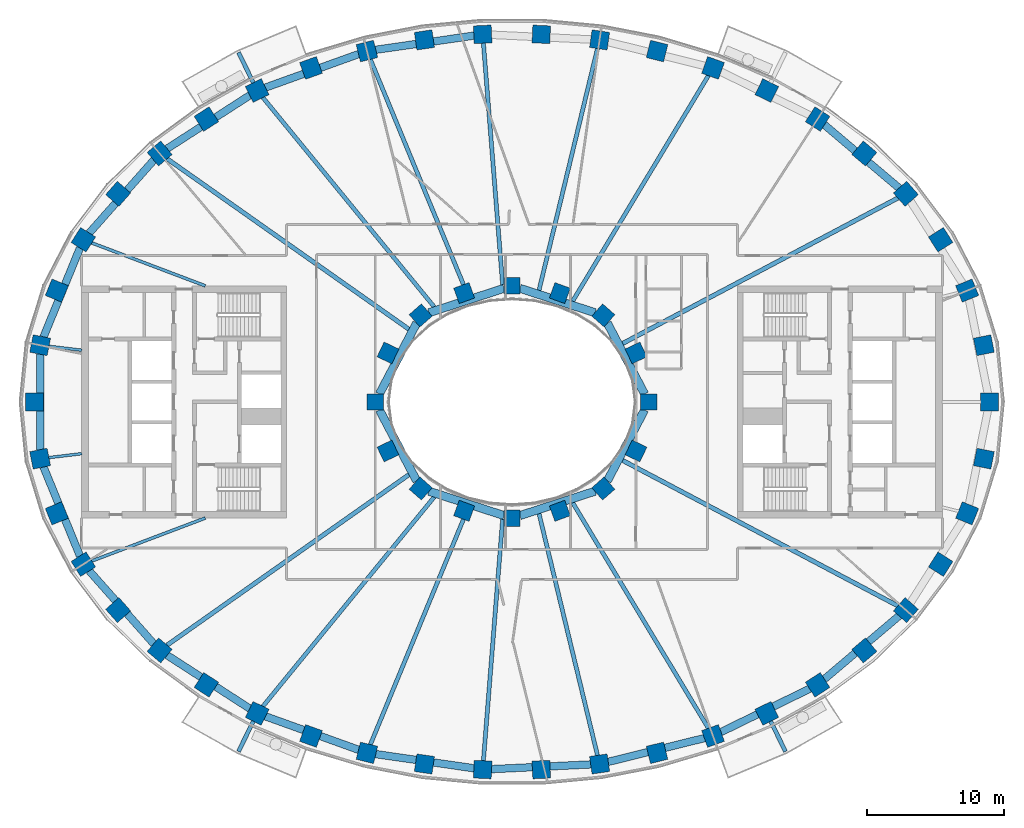
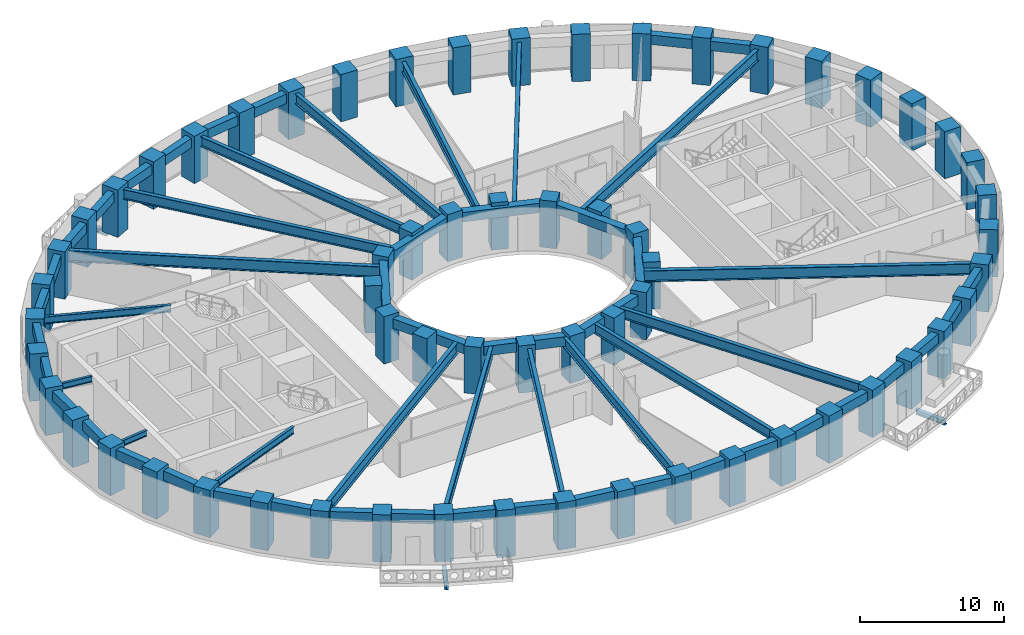
# One storey, part 1 of 15: 62 columns, 45 beams.
"""IFC4 building model written with IfcOpenShell, lengths in metres."""

from ifc_helpers import new_model, si_unit, direction, frame, origin, origin_2d, place, context, subcontext, project, spatial, rectangle, i_section, extrude, material, material_profile, profile_set, type_object, element, save


model = new_model("IFC4")

# Units and contexts
model_context = context("Model", 3, precision=1e-05, world=origin(), true_north=direction((0.0, 1.0)))
body_context = subcontext(model_context, "Body", "Model", "MODEL_VIEW")
ifc_project = project(units=[si_unit("LENGTHUNIT", "METRE"), si_unit("AREAUNIT", "SQUARE_METRE"), si_unit("VOLUMEUNIT", "CUBIC_METRE"), si_unit("PLANEANGLEUNIT", "RADIAN"), si_unit("MASSUNIT", "GRAM", prefix="KILO")], contexts=[model_context])

# Site, building, storey
site_placement = place(None, origin())
site = spatial("IfcSite", under=ifc_project, at=site_placement, CompositionType="ELEMENT")
building_placement = place(site_placement, origin())
building = spatial("IfcBuilding", under=site, at=building_placement, Name="Noorbagh Ring Tower", CompositionType="ELEMENT")
storey_placement = place(building_placement, frame((0.0, 0.0, 104.0)))
storey = spatial("IfcBuildingStorey", under=building, at=storey_placement, Name="L23", CompositionType="ELEMENT", Elevation=104.0)

# Columns
ifc_material_1 = material(Name="Concrete C60/75", Category="concrete")
ifc_material_profile_1 = material_profile(ifc_material_1, rectangle(XDim=1.300048828125, YDim=1.300048828125, at=origin_2d()), Name="RC1300x1300")
ifc_profile_set_1 = profile_set([ifc_material_profile_1], Name="Concrete C60/75")
column_type_1 = type_object("IfcColumnType", Name="STR-COL-RC1300x1300-C60-75", PredefinedType="COLUMN", material=ifc_profile_set_1)
for number, where, z_axis, x_axis, name in (
    (1, (34.944580078125, 0.0, 0.0), (0.0, 0.0, 1.0), (0.0, 1.0, 0.0), "L23/col/R1-01"),
    (2, (34.52685546875, 4.150634765625, 0.0), (0.0, 0.0, 1.0), (-0.19723040178, 0.9803571638, 0.0), "L23/col/R1-02"),
    (3, (33.30517578125, 8.1494140625, 0.0), (0.0, 0.0, 1.0), (-0.378989499959, 0.925400971969, 0.0), "L23/col/R1-03"),
    (4, (31.364990234375, 11.87109375, 0.0), (0.0, 0.0, 1.0), (-0.535190403059, 0.844731455833, 0.0), "L23/col/R1-04"),
    (5, (28.81884765625, 15.23046875, 0.0), (0.0, 0.0, 1.0), (-0.662635642662, 0.748941923699, 0.0), "L23/col/R1-05"),
    (6, (25.78271484375, 18.180419921875, 0.0), (0.0, 0.0, 1.0), (-0.763035199656, 0.646356932419, 0.0), "L23/col/R1-06"),
    (7, (22.362060546875, 20.699951171875, 0.0), (0.0, 0.0, 1.0), (-0.840247639643, 0.542202825586, 0.0), "L23/col/R1-07"),
    (8, (18.646240234375, 22.785400390625, 0.0), (0.0, 0.0, 1.0), (-0.898399080868, 0.439180021741, 0.0), "L23/col/R1-08"),
    (9, (14.70947265625, 24.44091796875, 0.0), (0.0, 0.0, 1.0), (-0.941024726094, 0.338337797003, 0.0), "L23/col/R1-09"),
    (10, (10.61328125, 25.673583984375, 0.0), (0.0, 0.0, 1.0), (-0.970829360981, 0.239771457553, 0.0), "L23/col/R1-10"),
    (11, (6.4091796875, 26.49072265625, 0.0), (0.0, 0.0, 1.0), (-0.989713114048, 0.143066249975, 0.0), "L23/col/R1-11"),
    (12, (2.14306640625, 26.89794921875, 0.0), (0.0, 0.0, 1.0), (-0.998868731212, 0.047552684538, 0.0), "L23/col/R1-12"),
    (13, (-2.14306640625, 26.89794921875, 0.0), (0.0, 0.0, 1.0), (-0.998868731212, -0.047552684538, 0.0), "L23/col/R1-13"),
    (14, (-6.4091796875, 26.49072265625, 0.0), (0.0, 0.0, 1.0), (-0.989713114048, -0.143066249975, 0.0), "L23/col/R1-14"),
    (15, (-10.61328125, 25.673583984375, 0.0), (0.0, 0.0, 1.0), (-0.970829360981, -0.239771457553, 0.0), "L23/col/R1-15"),
    (16, (-14.70947265625, 24.44091796875, 0.0), (0.0, 0.0, 1.0), (-0.941024726094, -0.338337797003, 0.0), "L23/col/R1-16"),
    (17, (-18.646240234375, 22.785400390625, 0.0), (0.0, 0.0, 1.0), (-0.898399080868, -0.439180021741, 0.0), "L23/col/R1-17"),
    (18, (-22.362060546875, 20.699951171875, 0.0), (0.0, 0.0, 1.0), (-0.840247639643, -0.542202825586, 0.0), "L23/col/R1-18"),
    (19, (-25.78271484375, 18.180419921875, 0.0), (0.0, 0.0, 1.0), (-0.763035199656, -0.646356932419, 0.0), "L23/col/R1-19"),
    (20, (-28.81884765625, 15.23046875, 0.0), (0.0, 0.0, 1.0), (-0.662635642662, -0.748941923699, 0.0), "L23/col/R1-20"),
    (21, (-31.364990234375, 11.87109375, 0.0), (0.0, 0.0, 1.0), (-0.535190403059, -0.844731455833, 0.0), "L23/col/R1-21"),
    (22, (-33.30517578125, 8.1494140625, 0.0), (0.0, 0.0, 1.0), (-0.378989499959, -0.925400971969, 0.0), "L23/col/R1-22"),
    (23, (-34.52685546875, 4.150634765625, 0.0), (0.0, 0.0, 1.0), (-0.19723040178, -0.9803571638, 0.0), "L23/col/R1-23"),
    (24, (-34.944580078125, 0.0, 0.0), (0.0, 0.0, 1.0), (0.0, -1.0, 0.0), "L23/col/R1-24"),
    (25, (-34.52685546875, -4.150634765625, 0.0), (0.0, 0.0, 1.0), (0.19723040178, -0.9803571638, 0.0), "L23/col/R1-25"),
    (26, (-33.30517578125, -8.1494140625, 0.0), (0.0, 0.0, 1.0), (0.378989499959, -0.925400971969, 0.0), "L23/col/R1-26"),
    (27, (-31.364990234375, -11.87109375, 0.0), (0.0, 0.0, 1.0), (0.535190403059, -0.844731455833, 0.0), "L23/col/R1-27"),
    (28, (-28.81884765625, -15.23046875, 0.0), (0.0, 0.0, 1.0), (0.662635642662, -0.748941923699, 0.0), "L23/col/R1-28"),
    (29, (-25.78271484375, -18.180419921875, 0.0), (0.0, 0.0, 1.0), (0.763035199656, -0.646356932419, 0.0), "L23/col/R1-29"),
    (30, (-22.362060546875, -20.699951171875, 0.0), (0.0, 0.0, 1.0), (0.840247639643, -0.542202825586, 0.0), "L23/col/R1-30"),
    (31, (-18.646240234375, -22.785400390625, 0.0), (0.0, 0.0, 1.0), (0.898399080868, -0.439180021741, 0.0), "L23/col/R1-31"),
    (32, (-14.70947265625, -24.44091796875, 0.0), (0.0, 0.0, 1.0), (0.941024726094, -0.338337797003, 0.0), "L23/col/R1-32"),
    (33, (-10.61328125, -25.673583984375, 0.0), (0.0, 0.0, 1.0), (0.970829360981, -0.239771457553, 0.0), "L23/col/R1-33"),
    (34, (-6.4091796875, -26.49072265625, 0.0), (0.0, 0.0, 1.0), (0.989713114048, -0.143066249975, 0.0), "L23/col/R1-34"),
    (35, (-2.14306640625, -26.89794921875, 0.0), (0.0, 0.0, 1.0), (0.998868731212, -0.047552684538, 0.0), "L23/col/R1-35"),
    (36, (2.14306640625, -26.89794921875, 0.0), (0.0, 0.0, 1.0), (0.998868731212, 0.047552684538, 0.0), "L23/col/R1-36"),
    (37, (6.4091796875, -26.49072265625, 0.0), (0.0, 0.0, 1.0), (0.989713114048, 0.143066249975, 0.0), "L23/col/R1-37"),
    (38, (10.61328125, -25.673583984375, 0.0), (0.0, 0.0, 1.0), (0.970829360981, 0.239771457553, 0.0), "L23/col/R1-38"),
    (39, (14.70947265625, -24.44091796875, 0.0), (0.0, 0.0, 1.0), (0.941024726094, 0.338337797003, 0.0), "L23/col/R1-39"),
    (40, (18.646240234375, -22.785400390625, 0.0), (0.0, 0.0, 1.0), (0.898399080868, 0.439180021741, 0.0), "L23/col/R1-40"),
    (41, (22.362060546875, -20.699951171875, 0.0), (0.0, 0.0, 1.0), (0.840247639643, 0.542202825586, 0.0), "L23/col/R1-41"),
    (42, (25.78271484375, -18.180419921875, 0.0), (0.0, 0.0, 1.0), (0.763035199656, 0.646356932419, 0.0), "L23/col/R1-42"),
    (43, (28.81884765625, -15.23046875, 0.0), (0.0, 0.0, 1.0), (0.662635642662, 0.748941923699, 0.0), "L23/col/R1-43"),
    (44, (31.364990234375, -11.87109375, 0.0), (0.0, 0.0, 1.0), (0.535190403059, 0.844731455833, 0.0), "L23/col/R1-44"),
    (45, (33.30517578125, -8.1494140625, 0.0), (0.0, 0.0, 1.0), (0.378989499959, 0.925400971969, 0.0), "L23/col/R1-45"),
    (46, (34.52685546875, -4.150634765625, 0.0), (0.0, 0.0, 1.0), (0.19723040178, 0.9803571638, 0.0), "L23/col/R1-46"),
):
    element("IfcColumn", number, at=place(storey_placement, frame(where, z_axis=z_axis, x_axis=x_axis)), inside=storey, type_object=column_type_1, Name=name, PredefinedType="COLUMN", context=body_context, shape_type="SweptSolid", body=[
        extrude(rectangle(XDim=1.300048828125, YDim=1.300048828125, at=origin_2d()), origin(), (0.0, 0.0, 1.0), 4.0),
    ])
ifc_material_2 = material(Name="Concrete C60/75", Category="concrete")
ifc_material_profile_2 = material_profile(ifc_material_2, rectangle(XDim=1.199951171875, YDim=1.199951171875, at=origin_2d()), Name="RC1200x1200")
ifc_profile_set_2 = profile_set([ifc_material_profile_2], Name="Concrete C60/75")
column_type_2 = type_object("IfcColumnType", Name="STR-ICOL-RC1200x1200-C60-75", PredefinedType="COLUMN", material=ifc_profile_set_2)
for number, where, z_axis, x_axis, name in (
    (47, (10.00830078125, 0.0, 0.0), (0.0, 0.0, 1.0), (0.0, 1.0, 0.0), "L23/col/IR2-W01"),
    (48, (9.07568359375, 3.58837890625, 0.0), (0.0, 0.0, 1.0), (-0.428666979171, 0.903462573087, 0.0), "L23/col/IR2-W03"),
    (49, (6.68212890625, 6.333740234375, 0.0), (0.0, 0.0, 1.0), (-0.75102249095, 0.660276622399, 0.0), "L23/col/IR2-W05"),
    (50, (3.5009765625, 7.967041015625, 0.0), (0.0, 0.0, 1.0), (-0.939019578916, 0.343863679984, 0.0), "L23/col/IR2-W07"),
    (51, (0.0, 8.5029296875, 0.0), (0.0, 0.0, 1.0), (-1.0, 0.0, 0.0), "L23/col/IR2-W09"),
    (52, (-3.5009765625, 7.967041015625, 0.0), (0.0, 0.0, 1.0), (-0.939019578916, -0.343863679984, 0.0), "L23/col/IR2-W11"),
    (53, (-6.68212890625, 6.333740234375, 0.0), (0.0, 0.0, 1.0), (-0.75102249095, -0.660276622399, 0.0), "L23/col/IR2-W13"),
    (54, (-9.07568359375, 3.58837890625, 0.0), (0.0, 0.0, 1.0), (-0.428666979171, -0.903462573087, 0.0), "L23/col/IR2-W15"),
    (55, (-10.00830078125, 0.0, 0.0), (0.0, 0.0, 1.0), (0.0, -1.0, 0.0), "L23/col/IR2-W17"),
    (56, (-9.07568359375, -3.58837890625, 0.0), (0.0, 0.0, 1.0), (0.428666979171, -0.903462573087, 0.0), "L23/col/IR2-W19"),
    (57, (-6.68212890625, -6.333740234375, 0.0), (0.0, 0.0, 1.0), (0.75102249095, -0.660276622399, 0.0), "L23/col/IR2-W21"),
    (58, (-3.5009765625, -7.967041015625, 0.0), (0.0, 0.0, 1.0), (0.939019578916, -0.343863679984, 0.0), "L23/col/IR2-W23"),
    (59, (0.0, -8.5029296875, 0.0), (0.0, 0.0, 1.0), (1.0, 0.0, 0.0), "L23/col/IR2-W25"),
    (60, (3.5009765625, -7.967041015625, 0.0), (0.0, 0.0, 1.0), (0.939019578916, 0.343863679984, 0.0), "L23/col/IR2-W27"),
    (61, (6.68212890625, -6.333740234375, 0.0), (0.0, 0.0, 1.0), (0.75102249095, 0.660276622399, 0.0), "L23/col/IR2-W29"),
    (62, (9.07568359375, -3.58837890625, 0.0), (0.0, 0.0, 1.0), (0.428666979171, 0.903462573087, 0.0), "L23/col/IR2-W31"),
):
    element("IfcColumn", number, at=place(storey_placement, frame(where, z_axis=z_axis, x_axis=x_axis)), inside=storey, type_object=column_type_2, Name=name, PredefinedType="COLUMN", context=body_context, shape_type="SweptSolid", body=[
        extrude(rectangle(XDim=1.199951171875, YDim=1.199951171875, at=origin_2d()), origin(), (0.0, 0.0, 1.0), 4.0),
    ])

# Beams
ifc_material_3 = material(Name="Steel S355", Category="steel")
ifc_material_profile_3 = material_profile(ifc_material_3, i_section(OverallWidth=0.300048828125, OverallDepth=0.39990234375, WebThickness=0.013427734375, FlangeThickness=0.02392578125, FilletRadius=0.027099609375, at=origin_2d()), Name="HEB400")
ifc_profile_set_3 = profile_set([ifc_material_profile_3], Name="Steel S355")
beam_type_1 = type_object("IfcBeamType", Name="STR-BALCONY-BRACKET-HEB400", PredefinedType="BEAM", material=ifc_profile_set_3)
for number, where, z_axis, x_axis, name in (
    (63, (-18.923095703125, 23.351318359375, -0.5), (-0.439226053648, 0.89837657683, 0.0), (-0.89837657683, -0.439226053648, 0.0), "Balcony bracket beam BN05"),
    (64, (-18.923095703125, -23.351318359375, -0.5), (-0.439226053648, -0.89837657683, 0.0), (0.89837657683, -0.439226053648, 0.0), "Balcony bracket beam BS02"),
    (65, (18.923095703125, -23.351318359375, -0.5), (0.439226053648, -0.89837657683, 0.0), (0.89837657683, 0.439226053648, 0.0), "Balcony bracket beam BS05"),
):
    element("IfcBeam", number, at=place(storey_placement, frame(where, z_axis=z_axis, x_axis=x_axis)), inside=storey, type_object=beam_type_1, Name=name, PredefinedType="BEAM", context=body_context, shape_type="SweptSolid", body=[
        extrude(i_section(OverallWidth=0.300048828125, OverallDepth=0.39990234375, WebThickness=0.013427734375, FlangeThickness=0.02392578125, FilletRadius=0.027099609375, at=origin_2d()), origin(), (0.0, 0.0, 1.0), 2.47509765625),
    ])
ifc_material_4 = material(Name="Steel S355", Category="steel")
ifc_material_profile_4 = material_profile(ifc_material_4, i_section(OverallWidth=0.199951171875, OverallDepth=0.5, WebThickness=0.01025390625, FlangeThickness=0.01611328125, FilletRadius=0.02099609375, at=origin_2d()), Name="IPE500")
ifc_profile_set_4 = profile_set([ifc_material_profile_4], Name="Steel S355")
beam_type_2 = type_object("IfcBeamType", Name="STR-RAD-IPE500", PredefinedType="BEAM", material=ifc_profile_set_4)
for number, where, z_axis, x_axis, name in (
    (66, (-33.899169921875, 4.0751953125, 3.449951171875), (0.992852635549, -0.119346738892, 0.0), (0.119346738892, 0.992852635549, 0.0), "L23/bm/RD23"),
    (67, (-33.899169921875, -4.0751953125, 3.449951171875), (0.992852635549, 0.119346738892, 0.0), (-0.119346738892, 0.992852635549, 0.0), "L23/bm/RD25"),
):
    element("IfcBeam", number, at=place(storey_placement, frame(where, z_axis=z_axis, x_axis=x_axis)), inside=storey, type_object=beam_type_2, Name=name, PredefinedType="BEAM", context=body_context, shape_type="SweptSolid", body=[
        extrude(i_section(OverallWidth=0.199951171875, OverallDepth=0.5, WebThickness=0.01025390625, FlangeThickness=0.01611328125, FilletRadius=0.02099609375, at=origin_2d()), origin(), (0.0, 0.0, 1.0), 2.436279296875),
    ])
ifc_material_5 = material(Name="Steel S355", Category="steel")
ifc_material_profile_5 = material_profile(ifc_material_5, i_section(OverallWidth=0.219970703125, OverallDepth=0.60009765625, WebThickness=0.011962890625, FlangeThickness=0.01904296875, FilletRadius=0.02392578125, at=origin_2d()), Name="IPE600")
ifc_profile_set_5 = profile_set([ifc_material_profile_5], Name="Steel S355")
beam_type_3 = type_object("IfcBeamType", Name="STR-RAD-IPE600", PredefinedType="BEAM", material=ifc_profile_set_5)
for number, where, z_axis, x_axis, name in (
    (68, (-30.762939453125, 11.64306640625, 3.39990234375), (0.935256068659, -0.353971871815, 0.0), (0.353971871815, 0.935256068659, 0.0), "L23/bm/RD21"),
    (69, (-30.762939453125, -11.64306640625, 3.39990234375), (0.935256068659, 0.353971871815, 0.0), (-0.353971871815, 0.935256068659, 0.0), "L23/bm/RD27"),
):
    element("IfcBeam", number, at=place(storey_placement, frame(where, z_axis=z_axis, x_axis=x_axis)), inside=storey, type_object=beam_type_3, Name=name, PredefinedType="BEAM", context=body_context, shape_type="SweptSolid", body=[
        extrude(i_section(OverallWidth=0.219970703125, OverallDepth=0.60009765625, WebThickness=0.011962890625, FlangeThickness=0.01904296875, FilletRadius=0.02392578125, at=origin_2d()), origin(), (0.0, 0.0, 1.0), 8.8994140625),
    ])
ifc_material_6 = material(Name="Steel S355", Category="steel")
ifc_material_profile_6 = material_profile(ifc_material_6, i_section(OverallWidth=0.300048828125, OverallDepth=0.85009765625, WebThickness=0.013916015625, FlangeThickness=0.028076171875, at=origin_2d()), Name="PG850x300x14x28")
ifc_profile_set_6 = profile_set([ifc_material_profile_6], Name="Steel S355")
beam_type_4 = type_object("IfcBeamType", Name="STR-RAD-PG850x300x14x28", PredefinedType="BEAM", material=ifc_profile_set_6)
beam_1_placement = place(storey_placement, frame((14.378173828125, 23.89013671875, 3.27490234375), z_axis=(-0.515660214946, -0.85679317383, 0.0), x_axis=(0.85679317383, -0.515660214946, 0.0)))
element("IfcBeam", 70, at=beam_1_placement, inside=storey, type_object=beam_type_4, Name="L23/bm/RD09", PredefinedType="BEAM", context=body_context, shape_type="SweptSolid", body=[
    extrude(i_section(OverallWidth=0.300048828125, OverallDepth=0.85009765625, WebThickness=0.013916015625, FlangeThickness=0.028076171875, at=origin_2d()), origin(), (0.0, 0.0, 1.0), 19.293212890625),
])
beam_2_placement = place(storey_placement, frame((6.260498046875, 25.875732421875, 3.27490234375), z_axis=(-0.235164579981, -0.971955564994, 0.0), x_axis=(0.971955564994, -0.235164579981, 0.0)))
element("IfcBeam", 71, at=beam_2_placement, inside=storey, type_object=beam_type_4, Name="L23/bm/RD11", PredefinedType="BEAM", context=body_context, shape_type="SweptSolid", body=[
    extrude(i_section(OverallWidth=0.300048828125, OverallDepth=0.85009765625, WebThickness=0.013916015625, FlangeThickness=0.028076171875, at=origin_2d()), origin(), (0.0, 0.0, 1.0), 18.230224609375),
])
beam_3_placement = place(storey_placement, frame((-2.093017578125, 26.26953125, 3.27490234375), z_axis=(0.079419392273, -0.996841291345, 0.0), x_axis=(0.996841291345, 0.079419392273, 0.0)))
element("IfcBeam", 72, at=beam_3_placement, inside=storey, type_object=beam_type_4, Name="L23/bm/RD13", PredefinedType="BEAM", context=body_context, shape_type="SweptSolid", body=[
    extrude(i_section(OverallWidth=0.300048828125, OverallDepth=0.85009765625, WebThickness=0.013916015625, FlangeThickness=0.028076171875, at=origin_2d()), origin(), (0.0, 0.0, 1.0), 17.749755859375),
])
beam_4_placement = place(storey_placement, frame((-10.36962890625, 25.084716796875, 3.27490234375), z_axis=(0.38202515603, -0.924151924826, 0.0), x_axis=(0.924151924826, 0.38202515603, 0.0)))
element("IfcBeam", 73, at=beam_4_placement, inside=storey, type_object=beam_type_4, Name="L23/bm/RD15", PredefinedType="BEAM", context=body_context, shape_type="SweptSolid", body=[
    extrude(i_section(OverallWidth=0.300048828125, OverallDepth=0.85009765625, WebThickness=0.013916015625, FlangeThickness=0.028076171875, at=origin_2d()), origin(), (0.0, 0.0, 1.0), 18.750244140625),
])
for number, where, z_axis, x_axis, name in (
    (74, (-18.236083984375, 22.2841796875, 3.27490234375), (0.6333069067, -0.773900744234, 0.0), (0.773900744234, 0.6333069067, 0.0), "L23/bm/RD17"),
    (75, (-18.236083984375, -22.2841796875, 3.27490234375), (0.6333069067, 0.773900744234, 0.0), (-0.773900744234, 0.6333069067, 0.0), "L23/bm/RD31"),
):
    element("IfcBeam", number, at=place(storey_placement, frame(where, z_axis=z_axis, x_axis=x_axis)), inside=storey, type_object=beam_type_4, Name=name, PredefinedType="BEAM", context=body_context, shape_type="SweptSolid", body=[
        extrude(i_section(OverallWidth=0.300048828125, OverallDepth=0.85009765625, WebThickness=0.013916015625, FlangeThickness=0.028076171875, at=origin_2d()), origin(), (0.0, 0.0, 1.0), 19.811767578125),
    ])
beam_5_placement = place(storey_placement, frame((-10.36962890625, -25.084716796875, 3.27490234375), z_axis=(0.38202515603, 0.924151924826, 0.0), x_axis=(-0.924151924826, 0.38202515603, 0.0)))
element("IfcBeam", 76, at=beam_5_placement, inside=storey, type_object=beam_type_4, Name="L23/bm/RD33", PredefinedType="BEAM", context=body_context, shape_type="SweptSolid", body=[
    extrude(i_section(OverallWidth=0.300048828125, OverallDepth=0.85009765625, WebThickness=0.013916015625, FlangeThickness=0.028076171875, at=origin_2d()), origin(), (0.0, 0.0, 1.0), 18.750244140625),
])
beam_6_placement = place(storey_placement, frame((-2.093017578125, -26.26953125, 3.27490234375), z_axis=(0.079419392273, 0.996841291345, 0.0), x_axis=(-0.996841291345, 0.079419392273, 0.0)))
element("IfcBeam", 77, at=beam_6_placement, inside=storey, type_object=beam_type_4, Name="L23/bm/RD35", PredefinedType="BEAM", context=body_context, shape_type="SweptSolid", body=[
    extrude(i_section(OverallWidth=0.300048828125, OverallDepth=0.85009765625, WebThickness=0.013916015625, FlangeThickness=0.028076171875, at=origin_2d()), origin(), (0.0, 0.0, 1.0), 17.749755859375),
])
beam_7_placement = place(storey_placement, frame((6.260498046875, -25.875732421875, 3.27490234375), z_axis=(-0.235164579981, 0.971955564994, 0.0), x_axis=(-0.971955564994, -0.235164579981, 0.0)))
element("IfcBeam", 78, at=beam_7_placement, inside=storey, type_object=beam_type_4, Name="L23/bm/RD37", PredefinedType="BEAM", context=body_context, shape_type="SweptSolid", body=[
    extrude(i_section(OverallWidth=0.300048828125, OverallDepth=0.85009765625, WebThickness=0.013916015625, FlangeThickness=0.028076171875, at=origin_2d()), origin(), (0.0, 0.0, 1.0), 18.230224609375),
])
beam_8_placement = place(storey_placement, frame((14.378173828125, -23.89013671875, 3.27490234375), z_axis=(-0.515660214946, 0.85679317383, 0.0), x_axis=(-0.85679317383, -0.515660214946, 0.0)))
element("IfcBeam", 79, at=beam_8_placement, inside=storey, type_object=beam_type_4, Name="L23/bm/RD39", PredefinedType="BEAM", context=body_context, shape_type="SweptSolid", body=[
    extrude(i_section(OverallWidth=0.300048828125, OverallDepth=0.85009765625, WebThickness=0.013916015625, FlangeThickness=0.028076171875, at=origin_2d()), origin(), (0.0, 0.0, 1.0), 19.293212890625),
])
ifc_material_7 = material(Name="Steel S355", Category="steel")
ifc_material_profile_7 = material_profile(ifc_material_7, i_section(OverallWidth=0.320068359375, OverallDepth=0.949951171875, WebThickness=0.01611328125, FlangeThickness=0.030029296875, at=origin_2d()), Name="PG950x320x16x30")
ifc_profile_set_7 = profile_set([ifc_material_profile_7], Name="Steel S355")
beam_type_5 = type_object("IfcBeamType", Name="STR-RAD-PG950x320x16x30", PredefinedType="BEAM", material=ifc_profile_set_7)
beam_9_placement = place(storey_placement, frame((28.2451171875, 14.92724609375, 3.22509765625), z_axis=(-0.8841222966, -0.467255566746, 0.0), x_axis=(0.467255566746, -0.8841222966, 0.0)))
element("IfcBeam", 80, at=beam_9_placement, inside=storey, type_object=beam_type_5, Name="L23/bm/RD05", PredefinedType="BEAM", context=body_context, shape_type="SweptSolid", body=[
    extrude(i_section(OverallWidth=0.320068359375, OverallDepth=0.949951171875, WebThickness=0.01611328125, FlangeThickness=0.030029296875, at=origin_2d()), origin(), (0.0, 0.0, 1.0), 22.80615234375),
])
for number, where, z_axis, x_axis, name in (
    (81, (-25.250244140625, 17.804931640625, 3.22509765625), (0.817253985622, -0.57627764401, 0.0), (0.57627764401, 0.817253985622, 0.0), "L23/bm/RD19"),
    (82, (-25.250244140625, -17.804931640625, 3.22509765625), (0.817253985622, 0.57627764401, 0.0), (-0.57627764401, 0.817253985622, 0.0), "L23/bm/RD29"),
):
    element("IfcBeam", number, at=place(storey_placement, frame(where, z_axis=z_axis, x_axis=x_axis)), inside=storey, type_object=beam_type_5, Name=name, PredefinedType="BEAM", context=body_context, shape_type="SweptSolid", body=[
        extrude(i_section(OverallWidth=0.320068359375, OverallDepth=0.949951171875, WebThickness=0.01611328125, FlangeThickness=0.030029296875, at=origin_2d()), origin(), (0.0, 0.0, 1.0), 21.677001953125),
    ])
beam_10_placement = place(storey_placement, frame((28.2451171875, -14.92724609375, 3.22509765625), z_axis=(-0.8841222966, 0.467255566746, 0.0), x_axis=(-0.467255566746, -0.8841222966, 0.0)))
element("IfcBeam", 83, at=beam_10_placement, inside=storey, type_object=beam_type_5, Name="L23/bm/RD43", PredefinedType="BEAM", context=body_context, shape_type="SweptSolid", body=[
    extrude(i_section(OverallWidth=0.320068359375, OverallDepth=0.949951171875, WebThickness=0.01611328125, FlangeThickness=0.030029296875, at=origin_2d()), origin(), (0.0, 0.0, 1.0), 22.80615234375),
])
ifc_material_8 = material(Name="Concrete C40/50", Category="concrete")
ifc_material_profile_8 = material_profile(ifc_material_8, rectangle(XDim=0.60009765625, YDim=0.800048828125, at=origin_2d()), Name="RC600x800")
ifc_profile_set_8 = profile_set([ifc_material_profile_8], Name="Concrete C40/50")
beam_type_6 = type_object("IfcBeamType", Name="STR-RB-RC600x800-C40-50", PredefinedType="BEAM", material=ifc_profile_set_8)
beam_11_placement = place(storey_placement, frame((9.70263671875, 0.582275390625, 3.300048828125), z_axis=(-0.464930830504, 0.885347007024, 0.0), x_axis=(-0.885347007024, -0.464930830504, 0.0)))
element("IfcBeam", 84, at=beam_11_placement, inside=storey, type_object=beam_type_6, Name="L23/bm/RG01", PredefinedType="BEAM", context=body_context, shape_type="SweptSolid", body=[
    extrude(rectangle(XDim=0.60009765625, YDim=0.800048828125, at=origin_2d()), origin(), (0.0, 0.0, 1.0), 5.873779296875),
])
for number, where, z_axis, x_axis, name in (
    (85, (6.07958984375, 6.529296875, 3.300048828125), (-0.951141392906, 0.308755648856, 0.0), (-0.308755648856, -0.951141392906, 0.0), "L23/bm/RG03"),
    (86, (-0.5810546875, 8.314208984375, 3.300048828125), (-0.951141392906, -0.308755648856, 0.0), (0.308755648856, -0.951141392906, 0.0), "L23/bm/RG05"),
):
    element("IfcBeam", number, at=place(storey_placement, frame(where, z_axis=z_axis, x_axis=x_axis)), inside=storey, type_object=beam_type_6, Name=name, PredefinedType="BEAM", context=body_context, shape_type="SweptSolid", body=[
        extrude(rectangle(XDim=0.60009765625, YDim=0.800048828125, at=origin_2d()), origin(), (0.0, 0.0, 1.0), 5.781005859375),
    ])
for number, where, z_axis, x_axis, name in (
    (87, (-6.9716796875, 5.78271484375, 3.300048828125), (-0.464930830504, -0.885347007024, 0.0), (0.885347007024, -0.464930830504, 0.0), "L23/bm/RG07"),
    (88, (-9.70263671875, -0.582275390625, 3.300048828125), (0.464930830504, -0.885347007024, 0.0), (0.885347007024, 0.464930830504, 0.0), "L23/bm/RG09"),
):
    element("IfcBeam", number, at=place(storey_placement, frame(where, z_axis=z_axis, x_axis=x_axis)), inside=storey, type_object=beam_type_6, Name=name, PredefinedType="BEAM", context=body_context, shape_type="SweptSolid", body=[
        extrude(rectangle(XDim=0.60009765625, YDim=0.800048828125, at=origin_2d()), origin(), (0.0, 0.0, 1.0), 5.873779296875),
    ])
for number, where, z_axis, x_axis, name in (
    (89, (-6.07958984375, -6.529296875, 3.300048828125), (0.951141392906, -0.308755648856, 0.0), (0.308755648856, 0.951141392906, 0.0), "L23/bm/RG11"),
    (90, (0.5810546875, -8.314208984375, 3.300048828125), (0.951141392906, 0.308755648856, 0.0), (-0.308755648856, 0.951141392906, 0.0), "L23/bm/RG13"),
):
    element("IfcBeam", number, at=place(storey_placement, frame(where, z_axis=z_axis, x_axis=x_axis)), inside=storey, type_object=beam_type_6, Name=name, PredefinedType="BEAM", context=body_context, shape_type="SweptSolid", body=[
        extrude(rectangle(XDim=0.60009765625, YDim=0.800048828125, at=origin_2d()), origin(), (0.0, 0.0, 1.0), 5.781005859375),
    ])
beam_12_placement = place(storey_placement, frame((6.9716796875, -5.78271484375, 3.300048828125), z_axis=(0.464930830504, 0.885347007024, 0.0), x_axis=(-0.885347007024, 0.464930830504, 0.0)))
element("IfcBeam", 91, at=beam_12_placement, inside=storey, type_object=beam_type_6, Name="L23/bm/RG15", PredefinedType="BEAM", context=body_context, shape_type="SweptSolid", body=[
    extrude(rectangle(XDim=0.60009765625, YDim=0.800048828125, at=origin_2d()), origin(), (0.0, 0.0, 1.0), 5.873779296875),
])
ifc_material_9 = material(Name="Concrete C40/50", Category="concrete")
ifc_material_profile_9 = material_profile(ifc_material_9, rectangle(XDim=0.550048828125, YDim=0.800048828125, at=origin_2d()), Name="RC550x800")
ifc_profile_set_9 = profile_set([ifc_material_profile_9], Name="Concrete C40/50")
beam_type_7 = type_object("IfcBeamType", Name="STR-SB-RC550x800-C40-50", PredefinedType="BEAM", material=ifc_profile_set_9)
beam_13_placement = place(storey_placement, frame((28.3330078125, 15.64208984375, 3.300048828125), z_axis=(-0.76303325952, 0.646359222775, 0.0), x_axis=(-0.646359222775, -0.76303325952, 0.0)))
element("IfcBeam", 92, at=beam_13_placement, inside=storey, type_object=beam_type_7, Name="L23/bm/SP05", PredefinedType="BEAM", context=body_context, shape_type="SweptSolid", body=[
    extrude(rectangle(XDim=0.550048828125, YDim=0.800048828125, at=origin_2d()), origin(), (0.0, 0.0, 1.0), 7.18994140625),
])
beam_14_placement = place(storey_placement, frame((-2.769775390625, 26.807373046875, 3.300048828125), z_axis=(-0.989713086327, -0.143066441741, 0.0), x_axis=(0.143066441741, -0.989713086327, 0.0)))
element("IfcBeam", 93, at=beam_14_placement, inside=storey, type_object=beam_type_7, Name="L23/bm/SP13", PredefinedType="BEAM", context=body_context, shape_type="SweptSolid", body=[
    extrude(rectangle(XDim=0.550048828125, YDim=0.800048828125, at=origin_2d()), origin(), (0.0, 0.0, 1.0), 7.291748046875),
])
beam_15_placement = place(storey_placement, frame((-11.209228515625, 25.459228515625, 3.300048828125), z_axis=(-0.941024767496, -0.33833768185, 0.0), x_axis=(0.33833768185, -0.941024767496, 0.0)))
element("IfcBeam", 94, at=beam_15_placement, inside=storey, type_object=beam_type_7, Name="L23/bm/SP15", PredefinedType="BEAM", context=body_context, shape_type="SweptSolid", body=[
    extrude(rectangle(XDim=0.550048828125, YDim=0.800048828125, at=origin_2d()), origin(), (0.0, 0.0, 1.0), 7.269287109375),
])
beam_16_placement = place(storey_placement, frame((-19.179443359375, 22.44140625, 3.300048828125), z_axis=(-0.840245983135, -0.542205392657, 0.0), x_axis=(0.542205392657, -0.840245983135, 0.0)))
element("IfcBeam", 95, at=beam_16_placement, inside=storey, type_object=beam_type_7, Name="L23/bm/SP17", PredefinedType="BEAM", context=body_context, shape_type="SweptSolid", body=[
    extrude(rectangle(XDim=0.550048828125, YDim=0.800048828125, at=origin_2d()), origin(), (0.0, 0.0, 1.0), 7.223388671875),
])
beam_17_placement = place(storey_placement, frame((-26.20458984375, 17.703369140625, 3.300048828125), z_axis=(-0.662640932003, -0.748937243855, 0.0), x_axis=(0.748937243855, -0.662640932003, 0.0)))
element("IfcBeam", 96, at=beam_17_placement, inside=storey, type_object=beam_type_7, Name="L23/bm/SP19", PredefinedType="BEAM", context=body_context, shape_type="SweptSolid", body=[
    extrude(rectangle(XDim=0.550048828125, YDim=0.800048828125, at=origin_2d()), origin(), (0.0, 0.0, 1.0), 7.149169921875),
])
beam_18_placement = place(storey_placement, frame((-31.607666015625, 11.278564453125, 3.300048828125), z_axis=(-0.378973457999, -0.925407541644, 0.0), x_axis=(0.925407541644, -0.378973457999, 0.0)))
element("IfcBeam", 97, at=beam_18_placement, inside=storey, type_object=beam_type_7, Name="L23/bm/SP21", PredefinedType="BEAM", context=body_context, shape_type="SweptSolid", body=[
    extrude(rectangle(XDim=0.550048828125, YDim=0.800048828125, at=origin_2d()), origin(), (0.0, 0.0, 1.0), 7.060546875),
])
beam_19_placement = place(storey_placement, frame((-34.52685546875, 3.507568359375, 3.300048828125), z_axis=(0.0, -1.0, 0.0), x_axis=(1.0, 0.0, 0.0)))
element("IfcBeam", 98, at=beam_19_placement, inside=storey, type_object=beam_type_7, Name="L23/bm/SP23", PredefinedType="BEAM", context=body_context, shape_type="SweptSolid", body=[
    extrude(rectangle(XDim=0.550048828125, YDim=0.800048828125, at=origin_2d()), origin(), (0.0, 0.0, 1.0), 7.01513671875),
])
beam_20_placement = place(storey_placement, frame((-34.283447265625, -4.74462890625, 3.300048828125), z_axis=(0.378973457999, -0.925407541644, 0.0), x_axis=(0.925407541644, 0.378973457999, 0.0)))
element("IfcBeam", 99, at=beam_20_placement, inside=storey, type_object=beam_type_7, Name="L23/bm/SP25", PredefinedType="BEAM", context=body_context, shape_type="SweptSolid", body=[
    extrude(rectangle(XDim=0.550048828125, YDim=0.800048828125, at=origin_2d()), origin(), (0.0, 0.0, 1.0), 7.060546875),
])
beam_21_placement = place(storey_placement, frame((-30.94189453125, -12.34912109375, 3.300048828125), z_axis=(0.662640932003, -0.748937243855, 0.0), x_axis=(0.748937243855, 0.662640932003, 0.0)))
element("IfcBeam", 100, at=beam_21_placement, inside=storey, type_object=beam_type_7, Name="L23/bm/SP27", PredefinedType="BEAM", context=body_context, shape_type="SweptSolid", body=[
    extrude(rectangle(XDim=0.550048828125, YDim=0.800048828125, at=origin_2d()), origin(), (0.0, 0.0, 1.0), 7.149169921875),
])
beam_22_placement = place(storey_placement, frame((-25.248779296875, -18.52490234375, 3.300048828125), z_axis=(0.840245983135, -0.542205392657, 0.0), x_axis=(0.542205392657, 0.840245983135, 0.0)))
element("IfcBeam", 101, at=beam_22_placement, inside=storey, type_object=beam_type_7, Name="L23/bm/SP29", PredefinedType="BEAM", context=body_context, shape_type="SweptSolid", body=[
    extrude(rectangle(XDim=0.550048828125, YDim=0.800048828125, at=origin_2d()), origin(), (0.0, 0.0, 1.0), 7.223388671875),
])
beam_23_placement = place(storey_placement, frame((-18.0498046875, -22.999755859375, 3.300048828125), z_axis=(0.941024767496, -0.33833768185, 0.0), x_axis=(0.33833768185, 0.941024767496, 0.0)))
element("IfcBeam", 102, at=beam_23_placement, inside=storey, type_object=beam_type_7, Name="L23/bm/SP31", PredefinedType="BEAM", context=body_context, shape_type="SweptSolid", body=[
    extrude(rectangle(XDim=0.550048828125, YDim=0.800048828125, at=origin_2d()), origin(), (0.0, 0.0, 1.0), 7.269287109375),
])
beam_24_placement = place(storey_placement, frame((-9.986572265625, -25.76416015625, 3.300048828125), z_axis=(0.989713086327, -0.143066441741, 0.0), x_axis=(0.143066441741, 0.989713086327, 0.0)))
element("IfcBeam", 103, at=beam_24_placement, inside=storey, type_object=beam_type_7, Name="L23/bm/SP33", PredefinedType="BEAM", context=body_context, shape_type="SweptSolid", body=[
    extrude(rectangle(XDim=0.550048828125, YDim=0.800048828125, at=origin_2d()), origin(), (0.0, 0.0, 1.0), 7.291748046875),
])
beam_25_placement = place(storey_placement, frame((-1.510986328125, -26.867919921875, 3.300048828125), z_axis=(0.998868894653, 0.047549251258, 0.0), x_axis=(-0.047549251258, 0.998868894653, 0.0)))
element("IfcBeam", 104, at=beam_25_placement, inside=storey, type_object=beam_type_7, Name="L23/bm/SP35", PredefinedType="BEAM", context=body_context, shape_type="SweptSolid", body=[
    extrude(rectangle(XDim=0.550048828125, YDim=0.800048828125, at=origin_2d()), origin(), (0.0, 0.0, 1.0), 7.296142578125),
])
beam_26_placement = place(storey_placement, frame((7.02392578125, -26.339111328125, 3.300048828125), z_axis=(0.970826778955, 0.239781911877, 0.0), x_axis=(-0.239781911877, 0.970826778955, 0.0)))
element("IfcBeam", 105, at=beam_26_placement, inside=storey, type_object=beam_type_7, Name="L23/bm/SP37", PredefinedType="BEAM", context=body_context, shape_type="SweptSolid", body=[
    extrude(rectangle(XDim=0.550048828125, YDim=0.800048828125, at=origin_2d()), origin(), (0.0, 0.0, 1.0), 7.282958984375),
])
beam_27_placement = place(storey_placement, frame((15.279052734375, -24.162353515625, 3.300048828125), z_axis=(0.898412117145, 0.43915335336, 0.0), x_axis=(-0.43915335336, 0.898412117145, 0.0)))
element("IfcBeam", 106, at=beam_27_placement, inside=storey, type_object=beam_type_7, Name="L23/bm/SP39", PredefinedType="BEAM", context=body_context, shape_type="SweptSolid", body=[
    extrude(rectangle(XDim=0.550048828125, YDim=0.800048828125, at=origin_2d()), origin(), (0.0, 0.0, 1.0), 7.249267578125),
])
beam_28_placement = place(storey_placement, frame((22.846923828125, -20.289306640625, 3.300048828125), z_axis=(0.76303325952, 0.646359222775, 0.0), x_axis=(-0.646359222775, 0.76303325952, 0.0)))
element("IfcBeam", 107, at=beam_28_placement, inside=storey, type_object=beam_type_7, Name="L23/bm/SP41", PredefinedType="BEAM", context=body_context, shape_type="SweptSolid", body=[
    extrude(rectangle(XDim=0.550048828125, YDim=0.800048828125, at=origin_2d()), origin(), (0.0, 0.0, 1.0), 7.18994140625),
])

save(model, "model.ifc")
